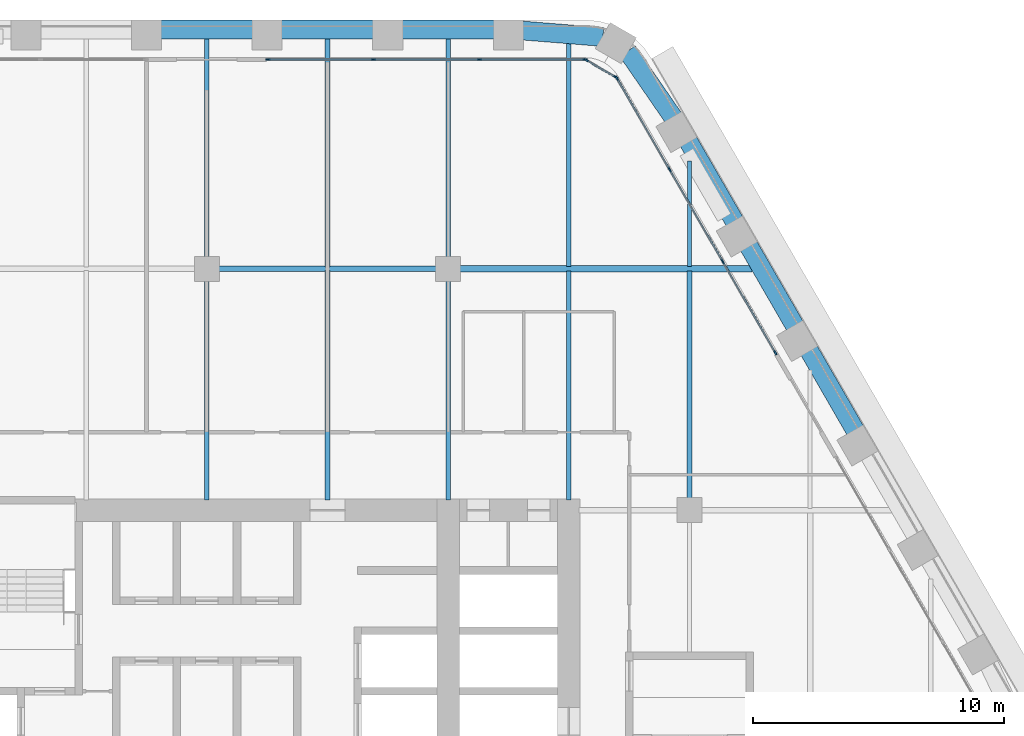
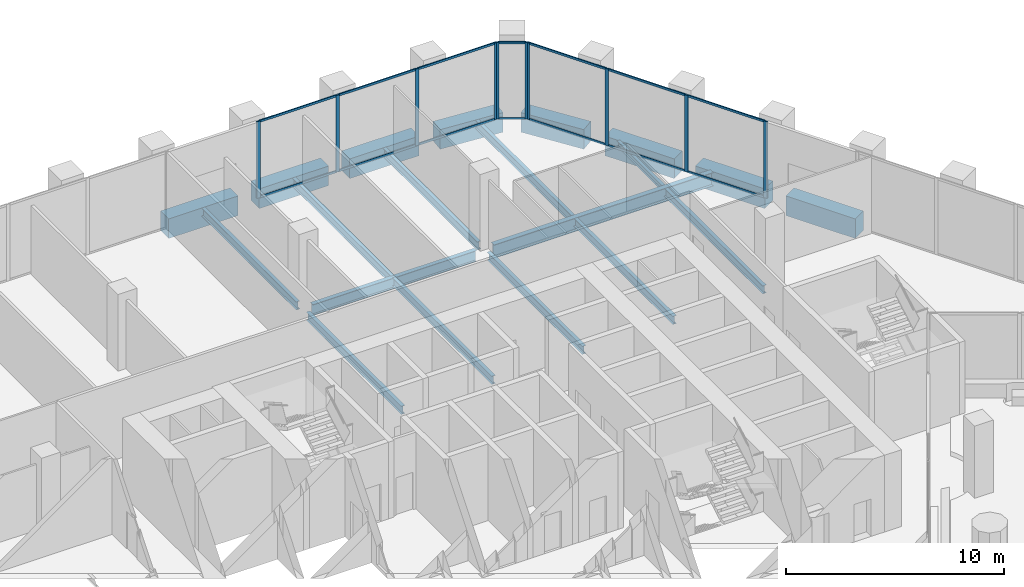
# One storey, part 10 of 25: 24 members, 20 beams, 3 elements without a shape of their own.
"""IFC4 building model written with IfcOpenShell, lengths in metres."""

from ifc_helpers import new_model, si_unit, direction, frame, origin, origin_2d, place, context, subcontext, project, spatial, rectangle, i_section, extrude, material, material_profile, profile_set, type_object, element, aggregate, save


model = new_model("IFC4")

# Units and contexts
model_context = context("Model", 3, precision=1e-05, world=origin(), true_north=direction((0.0, 1.0)))
body_context = subcontext(model_context, "Body", "Model", "MODEL_VIEW")
ifc_project = project(units=[si_unit("LENGTHUNIT", "METRE"), si_unit("AREAUNIT", "SQUARE_METRE"), si_unit("VOLUMEUNIT", "CUBIC_METRE"), si_unit("PLANEANGLEUNIT", "RADIAN"), si_unit("MASSUNIT", "GRAM", prefix="KILO")], contexts=[model_context])

# Site, building, storey
site_placement = place(None, origin())
site = spatial("IfcSite", under=ifc_project, at=site_placement, CompositionType="ELEMENT")
building_placement = place(site_placement, origin())
building = spatial("IfcBuilding", under=site, at=building_placement, Name="Kolab Exchange Tower", CompositionType="ELEMENT")
storey_placement = place(building_placement, frame((0.0, 0.0, 91.39990234375)))
storey = spatial("IfcBuildingStorey", under=building, at=storey_placement, Name="L17", CompositionType="ELEMENT", Elevation=91.39990234375)

# Beams
ifc_material_1 = material(Name="Steel S355", Category="steel")
ifc_material_profile_1 = material_profile(ifc_material_1, i_section(OverallWidth=0.1650390625, OverallDepth=0.31005859375, WebThickness=0.005859375, FlangeThickness=0.009765625, at=origin_2d()), Name="W310X39")
ifc_profile_set_1 = profile_set([ifc_material_profile_1], Name="Steel S355")
beam_type_1 = type_object("IfcBeamType", Name="FLOOR BEAM W310X39", PredefinedType="BEAM", material=ifc_profile_set_1)
beam_1_placement = place(storey_placement, frame((19.199951171875, 19.29345703125, -0.35498046875), z_axis=(0.0, 1.0, 0.0), x_axis=(-1.0, 0.0, 0.0)))
element("IfcBeam", 1, at=beam_1_placement, inside=storey, type_object=beam_type_1, Name="beam/L17/fr/045", PredefinedType="BEAM", context=body_context, shape_type="SweptSolid", body=[
    extrude(i_section(OverallWidth=0.1650390625, OverallDepth=0.31005859375, WebThickness=0.005859375, FlangeThickness=0.009765625, at=origin_2d()), origin(), (0.0, 0.0, 1.0), 4.18798828125),
])
ifc_material_profile_2 = material_profile(ifc_material_1, i_section(OverallWidth=0.18994140625, OverallDepth=0.45703125, WebThickness=0.009033203125, FlangeThickness=0.014404296875, at=origin_2d()), Name="W460X74")
ifc_profile_set_2 = profile_set([ifc_material_profile_2], Name="Steel S355")
beam_type_2 = type_object("IfcBeamType", Name="FLOOR BEAM W460X74", PredefinedType="BEAM", material=ifc_profile_set_2)
beam_2_placement = place(storey_placement, frame((0.0, 10.010009765625, -0.428466796875), z_axis=(0.0, 1.0, 0.0), x_axis=(-1.0, 0.0, 0.0)))
element("IfcBeam", 2, at=beam_2_placement, inside=storey, type_object=beam_type_2, Name="beam/L17/fr/026", PredefinedType="BEAM", context=body_context, shape_type="SweptSolid", body=[
    extrude(i_section(OverallWidth=0.18994140625, OverallDepth=0.45703125, WebThickness=0.009033203125, FlangeThickness=0.014404296875, at=origin_2d()), origin(), (0.0, 0.0, 1.0), 8.72998046875),
])
beam_3_placement = place(storey_placement, frame((0.0, 19.659912109375, -0.428466796875), z_axis=(0.0, 1.0, 0.0), x_axis=(-1.0, 0.0, 0.0)))
element("IfcBeam", 3, at=beam_3_placement, inside=storey, type_object=beam_type_2, Name="beam/L17/fr/027", PredefinedType="BEAM", context=body_context, shape_type="SweptSolid", body=[
    extrude(i_section(OverallWidth=0.18994140625, OverallDepth=0.45703125, WebThickness=0.009033203125, FlangeThickness=0.014404296875, at=origin_2d()), origin(), (0.0, 0.0, 1.0), 8.728515625),
])
beam_4_placement = place(storey_placement, frame((4.800048828125, 10.010009765625, -0.428466796875), z_axis=(0.0, 1.0, 0.0), x_axis=(-1.0, 0.0, 0.0)))
element("IfcBeam", 4, at=beam_4_placement, inside=storey, type_object=beam_type_2, Name="beam/L17/fr/030", PredefinedType="BEAM", context=body_context, shape_type="SweptSolid", body=[
    extrude(i_section(OverallWidth=0.18994140625, OverallDepth=0.45703125, WebThickness=0.009033203125, FlangeThickness=0.014404296875, at=origin_2d()), origin(), (0.0, 0.0, 1.0), 9.115966796875),
])
beam_5_placement = place(storey_placement, frame((4.800048828125, 19.27392578125, -0.428466796875), z_axis=(0.0, 1.0, 0.0), x_axis=(-1.0, 0.0, 0.0)))
element("IfcBeam", 5, at=beam_5_placement, inside=storey, type_object=beam_type_2, Name="beam/L17/fr/031", PredefinedType="BEAM", context=body_context, shape_type="SweptSolid", body=[
    extrude(i_section(OverallWidth=0.18994140625, OverallDepth=0.45703125, WebThickness=0.009033203125, FlangeThickness=0.014404296875, at=origin_2d()), origin(), (0.0, 0.0, 1.0), 9.114501953125),
])
beam_6_placement = place(storey_placement, frame((9.60009765625, 10.010009765625, -0.428466796875), z_axis=(0.0, 1.0, 0.0), x_axis=(-1.0, 0.0, 0.0)))
element("IfcBeam", 6, at=beam_6_placement, inside=storey, type_object=beam_type_2, Name="beam/L17/fr/034", PredefinedType="BEAM", context=body_context, shape_type="SweptSolid", body=[
    extrude(i_section(OverallWidth=0.18994140625, OverallDepth=0.45703125, WebThickness=0.009033203125, FlangeThickness=0.014404296875, at=origin_2d()), origin(), (0.0, 0.0, 1.0), 8.72998046875),
])
beam_7_placement = place(storey_placement, frame((9.60009765625, 19.659912109375, -0.428466796875), z_axis=(0.0, 1.0, 0.0), x_axis=(-1.0, 0.0, 0.0)))
element("IfcBeam", 7, at=beam_7_placement, inside=storey, type_object=beam_type_2, Name="beam/L17/fr/035", PredefinedType="BEAM", context=body_context, shape_type="SweptSolid", body=[
    extrude(i_section(OverallWidth=0.18994140625, OverallDepth=0.45703125, WebThickness=0.009033203125, FlangeThickness=0.014404296875, at=origin_2d()), origin(), (0.0, 0.0, 1.0), 8.728515625),
])
beam_8_placement = place(storey_placement, frame((14.39990234375, 10.010009765625, -0.428466796875), z_axis=(0.0, 1.0, 0.0), x_axis=(-1.0, 0.0, 0.0)))
element("IfcBeam", 8, at=beam_8_placement, inside=storey, type_object=beam_type_2, Name="beam/L17/fr/038", PredefinedType="BEAM", context=body_context, shape_type="SweptSolid", body=[
    extrude(i_section(OverallWidth=0.18994140625, OverallDepth=0.45703125, WebThickness=0.009033203125, FlangeThickness=0.014404296875, at=origin_2d()), origin(), (0.0, 0.0, 1.0), 9.096435546875),
])
beam_9_placement = place(storey_placement, frame((14.39990234375, 19.29345703125, -0.428466796875), z_axis=(0.0, 1.0, 0.0), x_axis=(-1.0, 0.0, 0.0)))
element("IfcBeam", 9, at=beam_9_placement, inside=storey, type_object=beam_type_2, Name="beam/L17/fr/039", PredefinedType="BEAM", context=body_context, shape_type="SweptSolid", body=[
    extrude(i_section(OverallWidth=0.18994140625, OverallDepth=0.45703125, WebThickness=0.009033203125, FlangeThickness=0.014404296875, at=origin_2d()), origin(), (0.0, 0.0, 1.0), 8.901123046875),
])
beam_10_placement = place(storey_placement, frame((19.199951171875, 10.06005859375, -0.428466796875), z_axis=(0.0, 1.0, 0.0), x_axis=(-1.0, 0.0, 0.0)))
element("IfcBeam", 10, at=beam_10_placement, inside=storey, type_object=beam_type_2, Name="beam/L17/fr/044", PredefinedType="BEAM", context=body_context, shape_type="SweptSolid", body=[
    extrude(i_section(OverallWidth=0.18994140625, OverallDepth=0.45703125, WebThickness=0.009033203125, FlangeThickness=0.014404296875, at=origin_2d()), origin(), (0.0, 0.0, 1.0), 9.04638671875),
])
ifc_material_profile_3 = material_profile(ifc_material_1, i_section(OverallWidth=0.22802734375, OverallDepth=0.60791015625, WebThickness=0.01123046875, FlangeThickness=0.017333984375, at=origin_2d()), Name="W610X113")
ifc_profile_set_3 = profile_set([ifc_material_profile_3], Name="Steel S355")
beam_type_3 = type_object("IfcBeamType", Name="FLOOR GIRDER W610X113", PredefinedType="BEAM", material=ifc_profile_set_3)
beam_11_placement = place(storey_placement, frame((0.4599609375, 19.199951171875, -0.50390625), z_axis=(1.0, 0.0, 0.0), x_axis=(0.0, 1.0, 0.0)))
element("IfcBeam", 11, at=beam_11_placement, inside=storey, type_object=beam_type_3, Name="beam/L17/gd/011", PredefinedType="BEAM", context=body_context, shape_type="SweptSolid", body=[
    extrude(i_section(OverallWidth=0.22802734375, OverallDepth=0.60791015625, WebThickness=0.01123046875, FlangeThickness=0.017333984375, at=origin_2d()), origin(), (0.0, 0.0, 1.0), 8.679931640625),
])
ifc_material_profile_4 = material_profile(ifc_material_1, i_section(OverallWidth=0.26708984375, OverallDepth=0.761962890625, WebThickness=0.014404296875, FlangeThickness=0.021484375, at=origin_2d()), Name="W760X173")
ifc_profile_set_4 = profile_set([ifc_material_profile_4], Name="Steel S355")
beam_type_4 = type_object("IfcBeamType", Name="FLOOR GIRDER W760X173", PredefinedType="BEAM", material=ifc_profile_set_4)
beam_12_placement = place(storey_placement, frame((10.06005859375, 19.199951171875, -0.580810546875), z_axis=(1.0, 0.0, 0.0), x_axis=(0.0, 1.0, 0.0)))
element("IfcBeam", 12, at=beam_12_placement, inside=storey, type_object=beam_type_4, Name="beam/L17/gd/013", PredefinedType="BEAM", context=body_context, shape_type="SweptSolid", body=[
    extrude(i_section(OverallWidth=0.26708984375, OverallDepth=0.761962890625, WebThickness=0.014404296875, FlangeThickness=0.021484375, at=origin_2d()), origin(), (0.0, 0.0, 1.0), 11.628662109375),
])
ifc_material_2 = material(Name="Concrete C70/85", Category="concrete")
ifc_material_profile_5 = material_profile(ifc_material_2, rectangle(XDim=0.75, YDim=1.10009765625, at=origin_2d()), Name="RC750X1100")
ifc_profile_set_5 = profile_set([ifc_material_profile_5], Name="Concrete C70/85")
beam_type_5 = type_object("IfcBeamType", Name="SPANDREL BEAM 750X1100 C70/85", PredefinedType="BEAM", material=ifc_profile_set_5)
beam_13_placement = place(storey_placement, frame((-1.840087890625, 28.723388671875, -0.75), z_axis=(1.0, 0.0, 0.0), x_axis=(0.0, 1.0, 0.0)))
element("IfcBeam", 13, at=beam_13_placement, inside=storey, type_object=beam_type_5, Name="beam/L17/sp/F1-04", PredefinedType="BEAM", context=body_context, shape_type="SweptSolid", body=[
    extrude(rectangle(XDim=0.75, YDim=1.10009765625, at=origin_2d()), origin(), (0.0, 0.0, 1.0), 3.68017578125),
])
for number, where, z_axis, x_axis, name in (
    (14, (2.9599609375, 28.723388671875, -0.75), (1.0, 0.0, 0.0), (0.0, 1.0, 0.0), "beam/L17/sp/F1-05"),
    (15, (7.760009765625, 28.723388671875, -0.75), (1.0, 0.0, 0.0), (0.0, 1.0, 0.0), "beam/L17/sp/F1-06"),
):
    element("IfcBeam", number, at=place(storey_placement, frame(where, z_axis=z_axis, x_axis=x_axis)), inside=storey, type_object=beam_type_5, Name=name, PredefinedType="BEAM", context=body_context, shape_type="SweptSolid", body=[
        extrude(rectangle(XDim=0.75, YDim=1.10009765625, at=origin_2d()), origin(), (0.0, 0.0, 1.0), 3.679931640625),
    ])
for number, where, z_axis, x_axis, name in (
    (16, (12.56005859375, 28.678466796875, -0.75), (0.996791038408, -0.080047646748, 0.0), (0.080047646748, 0.996791038408, 0.0), "beam/L17/sp/F1-07"),
    (17, (16.73486328125, 27.85791015625, -0.75), (0.567661826262, -0.823261836237, 0.0), (0.823261836237, 0.567661826262, 0.0), "beam/L17/sp/F2-01"),
):
    element("IfcBeam", number, at=place(storey_placement, frame(where, z_axis=z_axis, x_axis=x_axis)), inside=storey, type_object=beam_type_5, Name=name, PredefinedType="BEAM", context=body_context, shape_type="SweptSolid", body=[
        extrude(rectangle(XDim=0.75, YDim=1.10009765625, at=origin_2d()), origin(), (0.0, 0.0, 1.0), 3.20849609375),
    ])
for number, where, z_axis, x_axis, name in (
    (18, (19.1552734375, 24.26904296875, -0.75), (0.500013413428, -0.866017659399, 0.0), (0.866017659399, 0.500013413428, 0.0), "beam/L17/sp/F2-02"),
    (19, (21.55517578125, 20.112060546875, -0.75), (0.500013413428, -0.866017659399, 0.0), (0.866017659399, 0.500013413428, 0.0), "beam/L17/sp/F2-03"),
):
    element("IfcBeam", number, at=place(storey_placement, frame(where, z_axis=z_axis, x_axis=x_axis)), inside=storey, type_object=beam_type_5, Name=name, PredefinedType="BEAM", context=body_context, shape_type="SweptSolid", body=[
        extrude(rectangle(XDim=0.75, YDim=1.10009765625, at=origin_2d()), origin(), (0.0, 0.0, 1.0), 3.68017578125),
    ])
beam_14_placement = place(storey_placement, frame((23.955322265625, 15.955322265625, -0.75), z_axis=(0.499963655964, -0.866046386007, 0.0), x_axis=(0.866046386007, 0.499963655964, 0.0)))
element("IfcBeam", 20, at=beam_14_placement, inside=storey, type_object=beam_type_5, Name="beam/L17/sp/F2-04", PredefinedType="BEAM", context=body_context, shape_type="SweptSolid", body=[
    extrude(rectangle(XDim=0.75, YDim=1.10009765625, at=origin_2d()), origin(), (0.0, 0.0, 1.0), 3.679931640625),
])

# Curtain wall, members
ifc_material_3 = material(Name="Aluminium EN AW-6063 T6", Category="aluminium")
curtain_wall_type = type_object("IfcCurtainWallType", Name="UNITISED LOWER MID ZONE CURTAIN WALL", PredefinedType="NOTDEFINED", material=ifc_material_3)
curtain_wall_1_placement = place(storey_placement, origin())
curtain_wall_1 = element("IfcCurtainWall", 21, at=curtain_wall_1_placement, inside=storey, type_object=curtain_wall_type, Name="cw/L17/F1-2", PredefinedType="NOTDEFINED")
ifc_material_profile_6 = material_profile(ifc_material_3, rectangle(XDim=0.06005859375, YDim=0.179931640625, at=origin_2d()), Name="RECT 60X180")
ifc_profile_set_6 = profile_set([ifc_material_profile_6], Name="Aluminium EN AW-6063 T6")
member_type_1 = type_object("IfcMemberType", Name="UNITISED LOWER MID ZONE MULLION 60 X 180", PredefinedType="MULLION", material=ifc_profile_set_6)
member_1_placement = place(storey_placement, frame((2.429931640625, 27.5185546875, 0.0), z_axis=(0.0, 0.0, 1.0), x_axis=(0.0, 1.0, 0.0)))
member_1 = element("IfcMember", 22, at=member_1_placement, type_object=member_type_1, Name="CW2 mullion 1", PredefinedType="MULLION", context=body_context, shape_type="SweptSolid", body=[
    extrude(rectangle(XDim=0.06005859375, YDim=0.179931640625, at=origin_2d()), origin(), (0.0, 0.0, 1.0), 4.300048828125),
])
member_2_placement = place(storey_placement, frame((6.62255859375, 27.5185546875, 0.0), z_axis=(0.0, 0.0, 1.0), x_axis=(0.0, 1.0, 0.0)))
member_2 = element("IfcMember", 23, at=member_2_placement, type_object=member_type_1, Name="CW2 mullion 2", PredefinedType="MULLION", context=body_context, shape_type="SweptSolid", body=[
    extrude(rectangle(XDim=0.06005859375, YDim=0.179931640625, at=origin_2d()), origin(), (0.0, 0.0, 1.0), 4.300048828125),
])
member_3_placement = place(storey_placement, frame((10.84521484375, 27.5185546875, 0.0), z_axis=(0.0, 0.0, 1.0), x_axis=(0.0, 1.0, 0.0)))
member_3 = element("IfcMember", 24, at=member_3_placement, type_object=member_type_1, Name="CW2 mullion 3", PredefinedType="MULLION", context=body_context, shape_type="SweptSolid", body=[
    extrude(rectangle(XDim=0.06005859375, YDim=0.179931640625, at=origin_2d()), origin(), (0.0, 0.0, 1.0), 4.300048828125),
])
member_4_placement = place(storey_placement, frame((15.037841796875, 27.5185546875, 0.0), z_axis=(0.0, 0.0, 1.0), x_axis=(0.0, 1.0, 0.0)))
member_4 = element("IfcMember", 25, at=member_4_placement, type_object=member_type_1, Name="CW2 mullion 4", PredefinedType="MULLION", context=body_context, shape_type="SweptSolid", body=[
    extrude(rectangle(XDim=0.06005859375, YDim=0.179931640625, at=origin_2d()), origin(), (0.0, 0.0, 1.0), 4.300048828125),
])

curtain_wall_2_placement = place(storey_placement, origin())
curtain_wall_2 = element("IfcCurtainWall", 26, at=curtain_wall_2_placement, inside=storey, type_object=curtain_wall_type, Name="cw/L17/F2-1", PredefinedType="NOTDEFINED")
member_5_placement = place(storey_placement, frame((16.312744140625, 26.782470703125, 0.0), z_axis=(0.0, 0.0, 1.0), x_axis=(0.866025393644, 0.500000017564, 0.0)))
member_5 = element("IfcMember", 27, at=member_5_placement, type_object=member_type_1, Name="CW2 mullion 1", PredefinedType="MULLION", context=body_context, shape_type="SweptSolid", body=[
    extrude(rectangle(XDim=0.06005859375, YDim=0.179931640625, at=origin_2d()), origin(), (0.0, 0.0, 1.0), 4.300048828125),
])
member_6_placement = place(storey_placement, frame((18.408935546875, 23.151611328125, 0.0), z_axis=(0.0, 0.0, 1.0), x_axis=(0.866025393644, 0.500000017564, 0.0)))
member_6 = element("IfcMember", 28, at=member_6_placement, type_object=member_type_1, Name="CW2 mullion 2", PredefinedType="MULLION", context=body_context, shape_type="SweptSolid", body=[
    extrude(rectangle(XDim=0.06005859375, YDim=0.179931640625, at=origin_2d()), origin(), (0.0, 0.0, 1.0), 4.300048828125),
])
member_7_placement = place(storey_placement, frame((20.520263671875, 19.49462890625, 0.0), z_axis=(0.0, 0.0, 1.0), x_axis=(0.866025393644, 0.500000017564, 0.0)))
member_7 = element("IfcMember", 29, at=member_7_placement, type_object=member_type_1, Name="CW2 mullion 3", PredefinedType="MULLION", context=body_context, shape_type="SweptSolid", body=[
    extrude(rectangle(XDim=0.06005859375, YDim=0.179931640625, at=origin_2d()), origin(), (0.0, 0.0, 1.0), 4.300048828125),
])
member_8_placement = place(storey_placement, frame((22.61669921875, 15.86376953125, 0.0), z_axis=(0.0, 0.0, 1.0), x_axis=(0.866025393644, 0.500000017564, 0.0)))
member_8 = element("IfcMember", 30, at=member_8_placement, type_object=member_type_1, Name="CW2 mullion 4", PredefinedType="MULLION", context=body_context, shape_type="SweptSolid", body=[
    extrude(rectangle(XDim=0.06005859375, YDim=0.179931640625, at=origin_2d()), origin(), (0.0, 0.0, 1.0), 4.300048828125),
])

curtain_wall_3_placement = place(storey_placement, origin())
curtain_wall_3 = element("IfcCurtainWall", 31, at=curtain_wall_3_placement, inside=storey, type_object=curtain_wall_type, Name="cw/L17/F1F2-corner", PredefinedType="NOTDEFINED")
member_9_placement = place(storey_placement, frame((15.093994140625, 27.50341796875, 0.0), z_axis=(0.0, 0.0, 1.0), x_axis=(0.50000002237, 0.866025390869, 0.0)))
member_9 = element("IfcMember", 32, at=member_9_placement, type_object=member_type_1, Name="CW2 mullion 1", PredefinedType="MULLION", context=body_context, shape_type="SweptSolid", body=[
    extrude(rectangle(XDim=0.06005859375, YDim=0.179931640625, at=origin_2d()), origin(), (0.0, 0.0, 1.0), 4.300048828125),
])
member_10_placement = place(storey_placement, frame((16.271728515625, 26.823486328125, 0.0), z_axis=(0.0, 0.0, 1.0), x_axis=(0.50000002237, 0.866025390869, 0.0)))
member_10 = element("IfcMember", 33, at=member_10_placement, type_object=member_type_1, Name="CW2 mullion 2", PredefinedType="MULLION", context=body_context, shape_type="SweptSolid", body=[
    extrude(rectangle(XDim=0.06005859375, YDim=0.179931640625, at=origin_2d()), origin(), (0.0, 0.0, 1.0), 4.300048828125),
])

# Member
ifc_material_profile_7 = material_profile(ifc_material_3, rectangle(XDim=0.06005859375, YDim=0.1201171875, at=origin_2d()), Name="RECT 60X120")
ifc_profile_set_7 = profile_set([ifc_material_profile_7], Name="Aluminium EN AW-6063 T6")
member_type_2 = type_object("IfcMemberType", Name="UNITISED LOWER MID ZONE TRANSOM 60 X 120", PredefinedType="USERDEFINED", material=ifc_profile_set_7)
member_11_placement = place(storey_placement, frame((2.4599609375, 27.5185546875, 0.030029296875), z_axis=(1.0, 0.0, 0.0), x_axis=(0.0, 1.0, 0.0)))
member_11 = element("IfcMember", 34, at=member_11_placement, type_object=member_type_2, Name="CW2 transom 1.1", ObjectType="TRANSOM", PredefinedType="USERDEFINED", context=body_context, shape_type="SweptSolid", body=[
    extrude(rectangle(XDim=0.06005859375, YDim=0.1201171875, at=origin_2d()), origin(), (0.0, 0.0, 1.0), 4.132568359375),
])

member_12_placement = place(storey_placement, frame((2.4599609375, 27.5185546875, 4.27001953125), z_axis=(1.0, 0.0, 0.0), x_axis=(0.0, 1.0, 0.0)))
member_12 = element("IfcMember", 35, at=member_12_placement, type_object=member_type_2, Name="CW2 transom 1.2", ObjectType="TRANSOM", PredefinedType="USERDEFINED", context=body_context, shape_type="SweptSolid", body=[
    extrude(rectangle(XDim=0.06005859375, YDim=0.1201171875, at=origin_2d()), origin(), (0.0, 0.0, 1.0), 4.132568359375),
])

member_13_placement = place(storey_placement, frame((6.652587890625, 27.5185546875, 0.030029296875), z_axis=(1.0, 0.0, 0.0), x_axis=(0.0, 1.0, 0.0)))
member_13 = element("IfcMember", 36, at=member_13_placement, type_object=member_type_2, Name="CW2 transom 2.1", ObjectType="TRANSOM", PredefinedType="USERDEFINED", context=body_context, shape_type="SweptSolid", body=[
    extrude(rectangle(XDim=0.06005859375, YDim=0.1201171875, at=origin_2d()), origin(), (0.0, 0.0, 1.0), 4.16259765625),
])

member_14_placement = place(storey_placement, frame((6.652587890625, 27.5185546875, 4.27001953125), z_axis=(1.0, 0.0, 0.0), x_axis=(0.0, 1.0, 0.0)))
member_14 = element("IfcMember", 37, at=member_14_placement, type_object=member_type_2, Name="CW2 transom 2.2", ObjectType="TRANSOM", PredefinedType="USERDEFINED", context=body_context, shape_type="SweptSolid", body=[
    extrude(rectangle(XDim=0.06005859375, YDim=0.1201171875, at=origin_2d()), origin(), (0.0, 0.0, 1.0), 4.16259765625),
])

member_15_placement = place(storey_placement, frame((10.875244140625, 27.5185546875, 0.030029296875), z_axis=(1.0, 0.0, 0.0), x_axis=(0.0, 1.0, 0.0)))
member_15 = element("IfcMember", 38, at=member_15_placement, type_object=member_type_2, Name="CW2 transom 3.1", ObjectType="TRANSOM", PredefinedType="USERDEFINED", context=body_context, shape_type="SweptSolid", body=[
    extrude(rectangle(XDim=0.06005859375, YDim=0.1201171875, at=origin_2d()), origin(), (0.0, 0.0, 1.0), 4.1328125),
])

member_16_placement = place(storey_placement, frame((10.875244140625, 27.5185546875, 4.27001953125), z_axis=(1.0, 0.0, 0.0), x_axis=(0.0, 1.0, 0.0)))
member_16 = element("IfcMember", 39, at=member_16_placement, type_object=member_type_2, Name="CW2 transom 3.2", ObjectType="TRANSOM", PredefinedType="USERDEFINED", context=body_context, shape_type="SweptSolid", body=[
    extrude(rectangle(XDim=0.06005859375, YDim=0.1201171875, at=origin_2d()), origin(), (0.0, 0.0, 1.0), 4.1328125),
])

aggregate(curtain_wall_1, [member_1, member_2, member_3, member_4, member_11, member_12, member_13, member_14, member_15, member_16])

member_17_placement = place(storey_placement, frame((16.32763671875, 26.756591796875, 0.030029296875), z_axis=(0.500001996123, -0.866024251319, 0.0), x_axis=(0.866024251319, 0.500001996123, 0.0)))
member_17 = element("IfcMember", 40, at=member_17_placement, type_object=member_type_2, Name="CW2 transom 1.1", ObjectType="TRANSOM", PredefinedType="USERDEFINED", context=body_context, shape_type="SweptSolid", body=[
    extrude(rectangle(XDim=0.06005859375, YDim=0.1201171875, at=origin_2d()), origin(), (0.0, 0.0, 1.0), 4.1328125),
])

member_18_placement = place(storey_placement, frame((16.32763671875, 26.756591796875, 4.27001953125), z_axis=(0.500001996123, -0.866024251319, 0.0), x_axis=(0.866024251319, 0.500001996123, 0.0)))
member_18 = element("IfcMember", 41, at=member_18_placement, type_object=member_type_2, Name="CW2 transom 1.2", ObjectType="TRANSOM", PredefinedType="USERDEFINED", context=body_context, shape_type="SweptSolid", body=[
    extrude(rectangle(XDim=0.06005859375, YDim=0.1201171875, at=origin_2d()), origin(), (0.0, 0.0, 1.0), 4.1328125),
])

member_19_placement = place(storey_placement, frame((18.424072265625, 23.12548828125, 0.030029296875), z_axis=(0.49999322259, -0.866029316688, 0.0), x_axis=(0.866029316688, 0.49999322259, 0.0)))
member_19 = element("IfcMember", 42, at=member_19_placement, type_object=member_type_2, Name="CW2 transom 2.1", ObjectType="TRANSOM", PredefinedType="USERDEFINED", context=body_context, shape_type="SweptSolid", body=[
    extrude(rectangle(XDim=0.06005859375, YDim=0.1201171875, at=origin_2d()), origin(), (0.0, 0.0, 1.0), 4.16259765625),
])

member_20_placement = place(storey_placement, frame((18.424072265625, 23.12548828125, 4.27001953125), z_axis=(0.49999322259, -0.866029316688, 0.0), x_axis=(0.866029316688, 0.49999322259, 0.0)))
member_20 = element("IfcMember", 43, at=member_20_placement, type_object=member_type_2, Name="CW2 transom 2.2", ObjectType="TRANSOM", PredefinedType="USERDEFINED", context=body_context, shape_type="SweptSolid", body=[
    extrude(rectangle(XDim=0.06005859375, YDim=0.1201171875, at=origin_2d()), origin(), (0.0, 0.0, 1.0), 4.16259765625),
])

member_21_placement = place(storey_placement, frame((20.535400390625, 19.46875, 0.030029296875), z_axis=(0.499957688808, -0.866049830784, 0.0), x_axis=(0.866049830784, 0.499957688808, 0.0)))
member_21 = element("IfcMember", 44, at=member_21_placement, type_object=member_type_2, Name="CW2 transom 3.1", ObjectType="TRANSOM", PredefinedType="USERDEFINED", context=body_context, shape_type="SweptSolid", body=[
    extrude(rectangle(XDim=0.06005859375, YDim=0.1201171875, at=origin_2d()), origin(), (0.0, 0.0, 1.0), 4.132568359375),
])

member_22_placement = place(storey_placement, frame((20.535400390625, 19.46875, 4.27001953125), z_axis=(0.499957688808, -0.866049830784, 0.0), x_axis=(0.866049830784, 0.499957688808, 0.0)))
member_22 = element("IfcMember", 45, at=member_22_placement, type_object=member_type_2, Name="CW2 transom 3.2", ObjectType="TRANSOM", PredefinedType="USERDEFINED", context=body_context, shape_type="SweptSolid", body=[
    extrude(rectangle(XDim=0.06005859375, YDim=0.1201171875, at=origin_2d()), origin(), (0.0, 0.0, 1.0), 4.132568359375),
])

aggregate(curtain_wall_2, [member_5, member_6, member_7, member_8, member_17, member_18, member_19, member_20, member_21, member_22])

member_23_placement = place(storey_placement, frame((15.119873046875, 27.488525390625, 0.030029296875), z_axis=(0.866004217611, -0.500036693733, 0.0), x_axis=(0.500036693733, 0.866004217611, 0.0)))
member_23 = element("IfcMember", 46, at=member_23_placement, type_object=member_type_2, Name="CW2 transom 1.1", ObjectType="TRANSOM", PredefinedType="USERDEFINED", context=body_context, shape_type="SweptSolid", body=[
    extrude(rectangle(XDim=0.06005859375, YDim=0.1201171875, at=origin_2d()), origin(), (0.0, 0.0, 1.0), 1.30029296875),
])

member_24_placement = place(storey_placement, frame((15.119873046875, 27.488525390625, 4.27001953125), z_axis=(0.866004217611, -0.500036693733, 0.0), x_axis=(0.500036693733, 0.866004217611, 0.0)))
member_24 = element("IfcMember", 47, at=member_24_placement, type_object=member_type_2, Name="CW2 transom 1.2", ObjectType="TRANSOM", PredefinedType="USERDEFINED", context=body_context, shape_type="SweptSolid", body=[
    extrude(rectangle(XDim=0.06005859375, YDim=0.1201171875, at=origin_2d()), origin(), (0.0, 0.0, 1.0), 1.30029296875),
])

aggregate(curtain_wall_3, [member_9, member_10, member_23, member_24])

save(model, "model.ifc")
